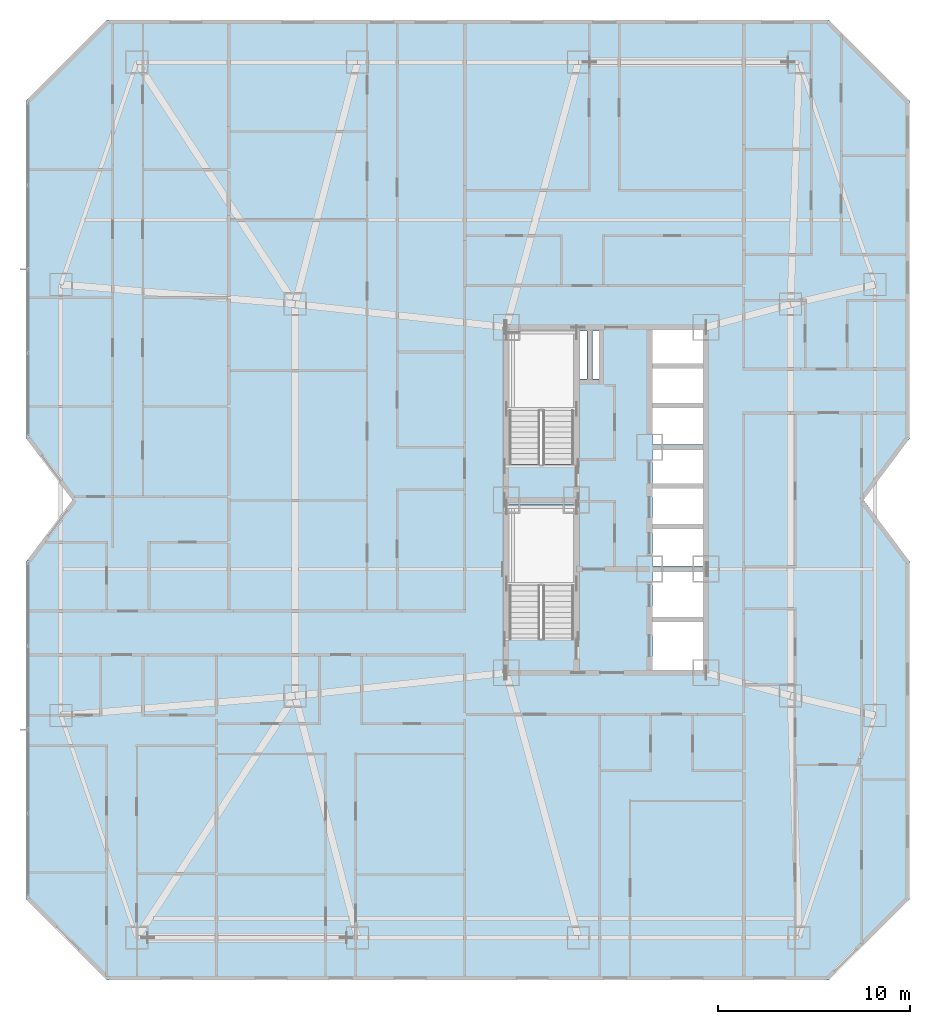
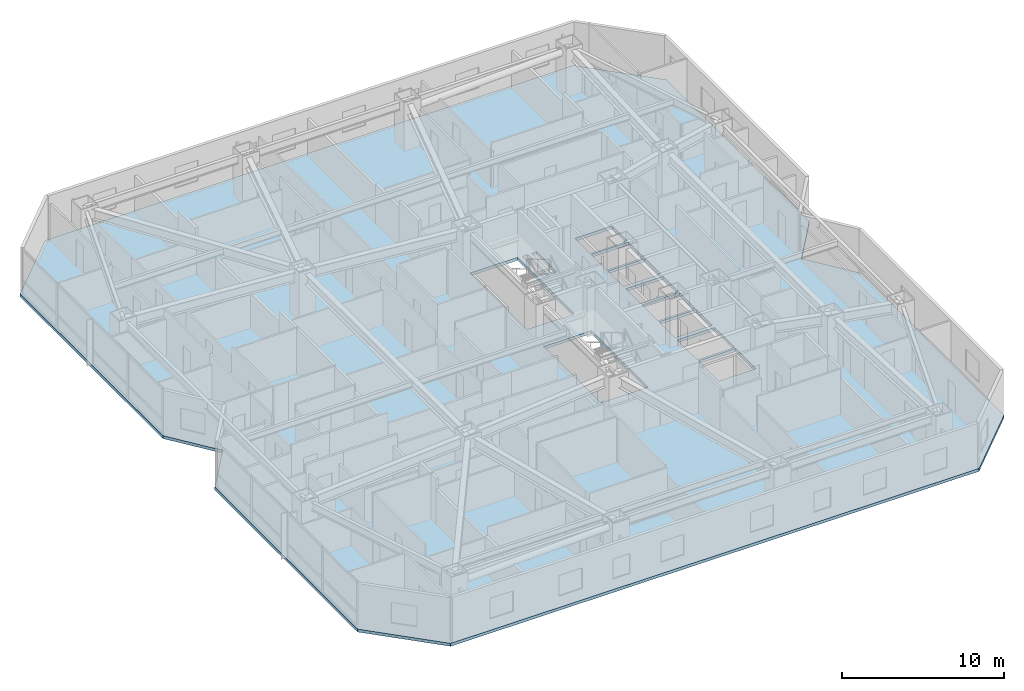
# One storey, part 13 of 25: 1 slab.
"""IFC4 building model written with IfcOpenShell, lengths in metres."""

from ifc_helpers import new_model, si_unit, direction, frame, origin, place, context, subcontext, project, spatial, polyline, outline, extrude, material, layer, layer_set, type_object, element, save


model = new_model("IFC4")

# Units and contexts
model_context = context("Model", 3, precision=1e-05, world=origin(), true_north=direction((0.0, 1.0)))
body_context = subcontext(model_context, "Body", "Model", "MODEL_VIEW")
ifc_project = project(units=[si_unit("LENGTHUNIT", "METRE"), si_unit("AREAUNIT", "SQUARE_METRE"), si_unit("VOLUMEUNIT", "CUBIC_METRE"), si_unit("PLANEANGLEUNIT", "RADIAN"), si_unit("MASSUNIT", "GRAM", prefix="KILO")], contexts=[model_context])

# Site, building, storey
site_placement = place(None, origin())
site = spatial("IfcSite", under=ifc_project, at=site_placement, CompositionType="ELEMENT")
building_placement = place(site_placement, origin())
building = spatial("IfcBuilding", under=site, at=building_placement, Name="Khamvora Tower", CompositionType="ELEMENT")
storey_placement = place(building_placement, frame((0.0, 0.0, 36.949951171875)))
storey = spatial("IfcBuildingStorey", under=building, at=storey_placement, Name="L08", CompositionType="ELEMENT", Elevation=36.949951171875)

# Slab
ifc_material = material(Name="Concrete C35/45", Category="concrete")
ifc_layer = layer(ifc_material, 0.219970703125)
ifc_layer_set = layer_set([ifc_layer], Name="Concrete C35/45")
slab_type = type_object("IfcSlabType", Name="SLB-TYP-220", PredefinedType="FLOOR", material=ifc_layer_set)
slab_placement = place(storey_placement, frame((0.0, 0.0, -0.219970703125)))
element("IfcSlab", 1, at=slab_placement, inside=storey, type_object=slab_type, Name="L08 structural floor slab", PredefinedType="FLOOR", context=body_context, shape_type="SweptSolid", body=[
    extrude(outline(polyline([(8.199951171875, 3.0), (45.800048828125, 3.0), (50.0, 7.199951171875), (50.0, 24.800048828125), (47.60009765625, 28.0), (50.0, 31.199951171875), (50.0, 48.800048828125), (45.800048828125, 53.0), (8.199951171875, 53.0), (4.0, 48.800048828125), (4.0, 31.199951171875), (6.39990234375, 28.0), (4.0, 24.800048828125), (4.0, 7.199951171875), (8.199951171875, 3.0)]), holes=[polyline([(32.5, 20.760009765625), (32.5, 27.75), (29.14990234375, 27.75), (29.14990234375, 20.760009765625), (32.5, 20.760009765625)]), polyline([(32.5, 29.860107421875), (32.5, 36.85009765625), (29.14990234375, 36.85009765625), (29.14990234375, 29.860107421875), (32.5, 29.860107421875)]), polyline([(36.60009765625, 19.14990234375), (39.25, 19.14990234375), (39.25, 21.64990234375), (36.60009765625, 21.64990234375), (36.60009765625, 19.14990234375)]), polyline([(36.60009765625, 21.800048828125), (39.25, 21.800048828125), (39.25, 24.25), (36.60009765625, 24.25), (36.60009765625, 21.800048828125)]), polyline([(36.60009765625, 24.550048828125), (39.25, 24.550048828125), (39.25, 26.5), (36.60009765625, 26.5), (36.60009765625, 24.550048828125)]), polyline([(36.60009765625, 26.64990234375), (39.25, 26.64990234375), (39.25, 28.60009765625), (36.60009765625, 28.60009765625), (36.60009765625, 26.64990234375)]), polyline([(36.60009765625, 28.75), (39.25, 28.75), (39.25, 30.60009765625), (36.60009765625, 30.60009765625), (36.60009765625, 28.75)]), polyline([(36.60009765625, 30.89990234375), (39.25, 30.89990234375), (39.25, 32.800048828125), (36.60009765625, 32.800048828125), (36.60009765625, 30.89990234375)]), polyline([(36.60009765625, 32.949951171875), (39.25, 32.949951171875), (39.25, 34.85009765625), (36.60009765625, 34.85009765625), (36.60009765625, 32.949951171875)]), polyline([(36.60009765625, 35.0), (39.25, 35.0), (39.25, 36.85009765625), (36.60009765625, 36.85009765625), (36.60009765625, 35.0)]), polyline([(32.800048828125, 34.300048828125), (33.199951171875, 34.300048828125), (33.199951171875, 36.800048828125), (32.800048828125, 36.800048828125), (32.800048828125, 34.300048828125)]), polyline([(33.47998046875, 34.300048828125), (33.820068359375, 34.300048828125), (33.820068359375, 36.800048828125), (33.47998046875, 36.800048828125), (33.47998046875, 34.300048828125)])]), origin(), (0.0, 0.0, 1.0), 0.219970703125),
])

save(model, "model.ifc")
